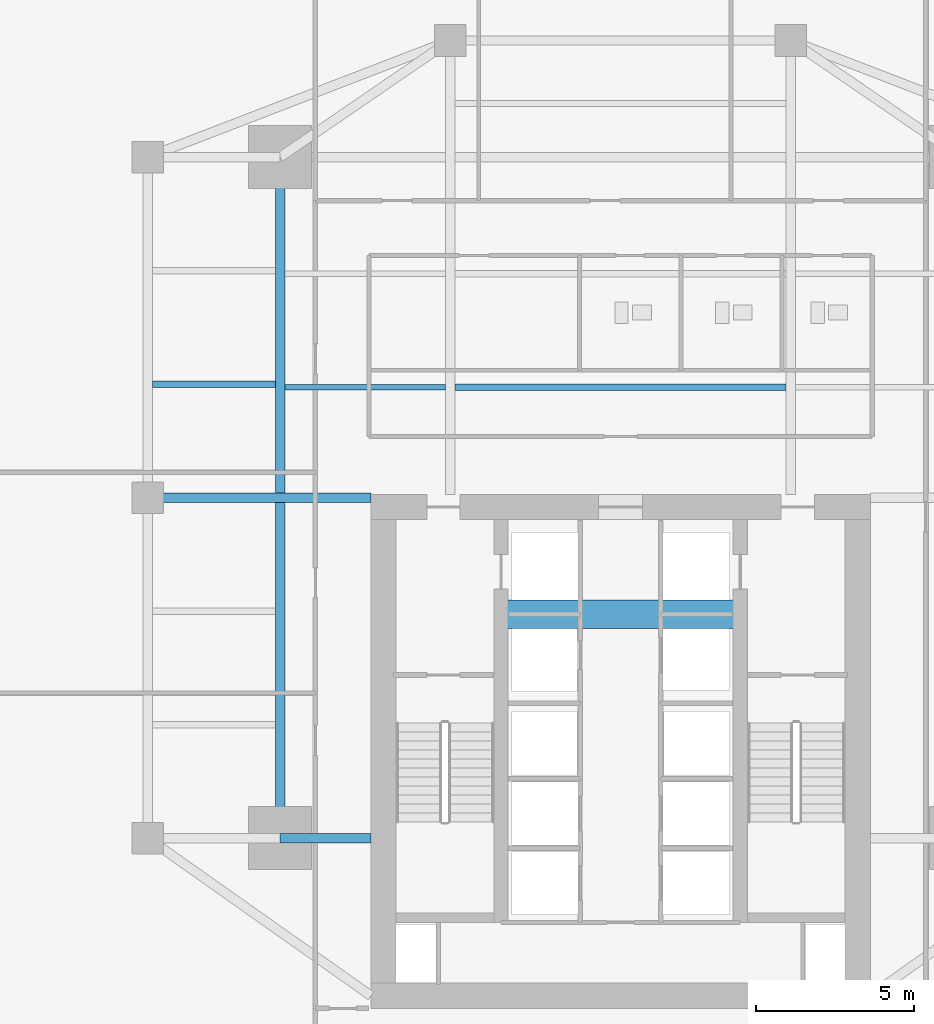
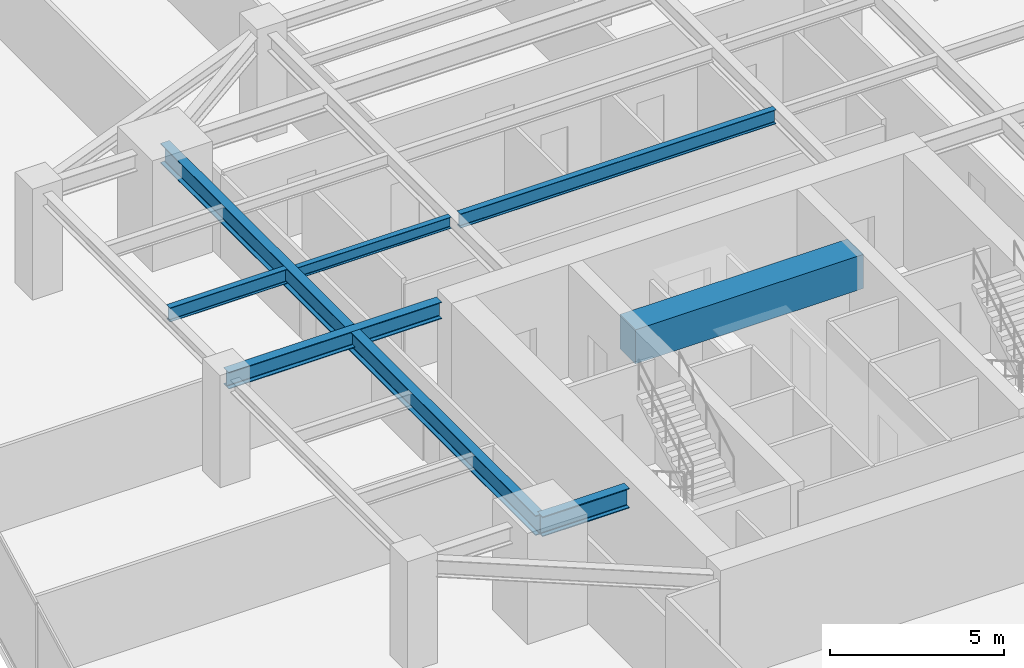
# One storey, part 9 of 27: 7 beams.
"""IFC4 building model written with IfcOpenShell, lengths in metres."""

from ifc_helpers import new_model, si_unit, direction, frame, origin, origin_2d, place, context, subcontext, project, spatial, rectangle, i_section, extrude, source, transform, mapped, material, material_profile, profile_set, type_object, type_shapes, element, save


model = new_model("IFC4")

# Units and contexts
model_context = context("Model", 3, precision=1e-05, world=origin(), true_north=direction((0.0, 1.0)))
body_context = subcontext(model_context, "Body", "Model", "MODEL_VIEW")
ifc_project = project(units=[si_unit("LENGTHUNIT", "METRE"), si_unit("AREAUNIT", "SQUARE_METRE"), si_unit("VOLUMEUNIT", "CUBIC_METRE"), si_unit("PLANEANGLEUNIT", "RADIAN"), si_unit("MASSUNIT", "GRAM", prefix="KILO")], contexts=[model_context])

# Site, building, storey
site_placement = place(None, origin())
site = spatial("IfcSite", under=ifc_project, at=site_placement, CompositionType="ELEMENT")
building_placement = place(site_placement, origin())
building = spatial("IfcBuilding", under=site, at=building_placement, Name="Krantzveldt Concourse Tower", CompositionType="ELEMENT")
storey_placement = place(building_placement, frame((0.0, 0.0, 86.10009765625)))
storey = spatial("IfcBuildingStorey", under=building, at=storey_placement, Name="L20", CompositionType="ELEMENT", Elevation=86.10009765625)

# Beams
ifc_material_1 = material(Name="Concrete C50/60", Category="concrete")
ifc_material_profile_1 = material_profile(ifc_material_1, rectangle(XDim=0.89990234375, YDim=1.199951171875, at=origin_2d()), Name="Concrete C50/60", Category="concrete")
ifc_profile_set_1 = profile_set([ifc_material_profile_1], Name="Concrete C50/60 - RC-CB 900x1200")
beam_type_1 = type_object("IfcBeamType", Name="BM-CB-1200", PredefinedType="LINTEL", material=ifc_profile_set_1)
shared_shape_1 = source(origin(), body_context, "Body", "SweptSolid", [
    extrude(rectangle(XDim=0.89990234375, YDim=1.199951171875, at=origin_2d()), origin(), (0.0, 0.0, 1.0), 7.580078125),
])
type_shapes(beam_type_1, [shared_shape_1])
beam_1_placement = place(storey_placement, frame((32.2099609375, 23.0, 3.06982421875), z_axis=(1.0, 0.0, 0.0), x_axis=(0.0, 1.0, 0.0)))
element("IfcBeam", 1, at=beam_1_placement, inside=storey, type_object=beam_type_1, Name="CB-L20-01", PredefinedType="LINTEL", context=body_context, shape_type="MappedRepresentation", body=[
    mapped(shared_shape_1, transform((0.0, 0.0, 0.0), x_axis=(1.0, 0.0, 0.0), y_axis=(0.0, 1.0, 0.0), z_axis=(0.0, 0.0, 1.0), scale=1.0)),
])
ifc_material_2 = material(Name="Steel S355J2", Category="steel")
ifc_material_profile_2 = material_profile(ifc_material_2, i_section(OverallWidth=0.300048828125, OverallDepth=0.699951171875, WebThickness=0.01708984375, FlangeThickness=0.031982421875, FilletRadius=0.027099609375, at=origin_2d()), Name="Steel S355J2", Category="steel")
ifc_profile_set_2 = profile_set([ifc_material_profile_2], Name="Steel S355J2 - HEB 700")
beam_type_2 = type_object("IfcBeamType", Name="BM-B-HEB700", PredefinedType="BEAM", material=ifc_profile_set_2)
shared_shape_2 = source(origin(), body_context, "Body", "SweptSolid", [
    extrude(i_section(OverallWidth=0.300048828125, OverallDepth=0.699951171875, WebThickness=0.01708984375, FlangeThickness=0.031982421875, FilletRadius=0.027099609375, at=origin_2d()), origin(), (0.0, 0.0, 1.0), 2.880126953125),
])
beam_2_placement = place(storey_placement, frame((25.199951171875, 15.89990234375, 3.31982421875), z_axis=(1.0, 0.0, 0.0), x_axis=(0.0, 1.0, 0.0)))
element("IfcBeam", 2, at=beam_2_placement, inside=storey, type_object=beam_type_2, Name="L20 Tower Girder BG-CW1", PredefinedType="BEAM", context=body_context, shape_type="MappedRepresentation", body=[
    mapped(shared_shape_2, transform((0.0, 0.0, 0.0), x_axis=(1.0, 0.0, 0.0), y_axis=(0.0, 1.0, 0.0), z_axis=(0.0, 0.0, 1.0), scale=1.0)),
])
shared_shape_3 = source(origin(), body_context, "Body", "SweptSolid", [
    extrude(i_section(OverallWidth=0.300048828125, OverallDepth=0.699951171875, WebThickness=0.01708984375, FlangeThickness=0.031982421875, FilletRadius=0.027099609375, at=origin_2d()), origin(), (0.0, 0.0, 1.0), 21.60009765625),
])
type_shapes(beam_type_2, [shared_shape_2, shared_shape_3])
beam_3_placement = place(storey_placement, frame((25.199951171875, 15.89990234375, 3.31982421875), z_axis=(0.0, 1.0, 0.0), x_axis=(-1.0, 0.0, 0.0)))
element("IfcBeam", 3, at=beam_3_placement, inside=storey, type_object=beam_type_2, Name="L20 Tower Girder BG-MW", PredefinedType="BEAM", context=body_context, shape_type="MappedRepresentation", body=[
    mapped(shared_shape_3, transform((0.0, 0.0, 0.0), x_axis=(1.0, 0.0, 0.0), y_axis=(0.0, 1.0, 0.0), z_axis=(0.0, 0.0, 1.0), scale=1.0)),
])
ifc_material_3 = material(Name="Steel S355JR", Category="steel")
ifc_material_profile_3 = material_profile(ifc_material_3, i_section(OverallWidth=0.300048828125, OverallDepth=0.590087890625, WebThickness=0.012939453125, FlangeThickness=0.02490234375, FilletRadius=0.027099609375, at=origin_2d()), Name="Steel S355JR", Category="steel")
ifc_profile_set_3 = profile_set([ifc_material_profile_3], Name="Steel S355JR - HEA 600")
beam_type_3 = type_object("IfcBeamType", Name="BM-B-HEA600", PredefinedType="BEAM", material=ifc_profile_set_3)
shared_shape_4 = source(origin(), body_context, "Body", "SweptSolid", [
    extrude(i_section(OverallWidth=0.300048828125, OverallDepth=0.590087890625, WebThickness=0.012939453125, FlangeThickness=0.02490234375, FilletRadius=0.027099609375, at=origin_2d()), origin(), (0.0, 0.0, 1.0), 7.080078125),
])
type_shapes(beam_type_3, [shared_shape_4])
beam_4_placement = place(storey_placement, frame((21.0, 26.699951171875, 3.375), z_axis=(1.0, 0.0, 0.0), x_axis=(0.0, 1.0, 0.0)))
element("IfcBeam", 4, at=beam_4_placement, inside=storey, type_object=beam_type_3, Name="L20 Tower Girder BG-CW2", PredefinedType="BEAM", context=body_context, shape_type="MappedRepresentation", body=[
    mapped(shared_shape_4, transform((0.0, 0.0, 0.0), x_axis=(1.0, 0.0, 0.0), y_axis=(0.0, 1.0, 0.0), z_axis=(0.0, 0.0, 1.0), scale=1.0)),
])
ifc_material_profile_4 = material_profile(ifc_material_3, i_section(OverallWidth=0.199951171875, OverallDepth=0.5, WebThickness=0.01025390625, FlangeThickness=0.01611328125, FilletRadius=0.02099609375, at=origin_2d()), Name="Steel S355JR", Category="steel")
ifc_profile_set_4 = profile_set([ifc_material_profile_4], Name="Steel S355JR - IPE 500")
beam_type_4 = type_object("IfcBeamType", Name="BM-J-IPE500", PredefinedType="JOIST", material=ifc_profile_set_4)
shared_shape_5 = source(origin(), body_context, "Body", "SweptSolid", [
    extrude(i_section(OverallWidth=0.199951171875, OverallDepth=0.5, WebThickness=0.01025390625, FlangeThickness=0.01611328125, FilletRadius=0.02099609375, at=origin_2d()), origin(), (0.0, 0.0, 1.0), 10.5),
])
beam_5_placement = place(storey_placement, frame((30.75, 30.199951171875, 3.419921875), z_axis=(1.0, 0.0, 0.0), x_axis=(0.0, 1.0, 0.0)))
element("IfcBeam", 5, at=beam_5_placement, inside=storey, type_object=beam_type_4, Name="L20 Secondary Floor Joist JN-C1", PredefinedType="JOIST", context=body_context, shape_type="MappedRepresentation", body=[
    mapped(shared_shape_5, transform((0.0, 0.0, 0.0), x_axis=(1.0, 0.0, 0.0), y_axis=(0.0, 1.0, 0.0), z_axis=(0.0, 0.0, 1.0), scale=1.0)),
])
ifc_material_profile_5 = material_profile(ifc_material_3, i_section(OverallWidth=0.179931640625, OverallDepth=0.39990234375, WebThickness=0.008544921875, FlangeThickness=0.013427734375, FilletRadius=0.02099609375, at=origin_2d()), Name="Steel S355JR", Category="steel")
ifc_profile_set_5 = profile_set([ifc_material_profile_5], Name="Steel S355JR - IPE 400")
beam_type_5 = type_object("IfcBeamType", Name="BM-J-IPE400", PredefinedType="JOIST", material=ifc_profile_set_5)
shared_shape_6 = source(origin(), body_context, "Body", "SweptSolid", [
    extrude(i_section(OverallWidth=0.179931640625, OverallDepth=0.39990234375, WebThickness=0.008544921875, FlangeThickness=0.013427734375, FilletRadius=0.02099609375, at=origin_2d()), origin(), (0.0, 0.0, 1.0), 5.099853515625),
])
type_shapes(beam_type_5, [shared_shape_6])
beam_6_placement = place(storey_placement, frame((25.35009765625, 30.199951171875, 3.469970703125), z_axis=(1.0, 0.0, 0.0), x_axis=(0.0, 1.0, 0.0)))
element("IfcBeam", 6, at=beam_6_placement, inside=storey, type_object=beam_type_5, Name="L20 Secondary Floor Joist JN-W1", PredefinedType="JOIST", context=body_context, shape_type="MappedRepresentation", body=[
    mapped(shared_shape_6, transform((0.0, 0.0, 0.0), x_axis=(1.0, 0.0, 0.0), y_axis=(0.0, 1.0, 0.0), z_axis=(0.0, 0.0, 1.0), scale=1.0)),
])
shared_shape_7 = source(origin(), body_context, "Body", "SweptSolid", [
    extrude(i_section(OverallWidth=0.199951171875, OverallDepth=0.5, WebThickness=0.01025390625, FlangeThickness=0.01611328125, FilletRadius=0.02099609375, at=origin_2d()), origin(), (0.0, 0.0, 1.0), 3.900146484375),
])
type_shapes(beam_type_4, [shared_shape_5, shared_shape_7])
beam_7_placement = place(storey_placement, frame((21.14990234375, 30.300048828125, 3.419921875), z_axis=(1.0, 0.0, 0.0), x_axis=(0.0, 1.0, 0.0)))
element("IfcBeam", 7, at=beam_7_placement, inside=storey, type_object=beam_type_4, Name="L20 Secondary Floor Joist JW-3", PredefinedType="JOIST", context=body_context, shape_type="MappedRepresentation", body=[
    mapped(shared_shape_7, transform((0.0, 0.0, 0.0), x_axis=(1.0, 0.0, 0.0), y_axis=(0.0, 1.0, 0.0), z_axis=(0.0, 0.0, 1.0), scale=1.0)),
])

save(model, "model.ifc")
